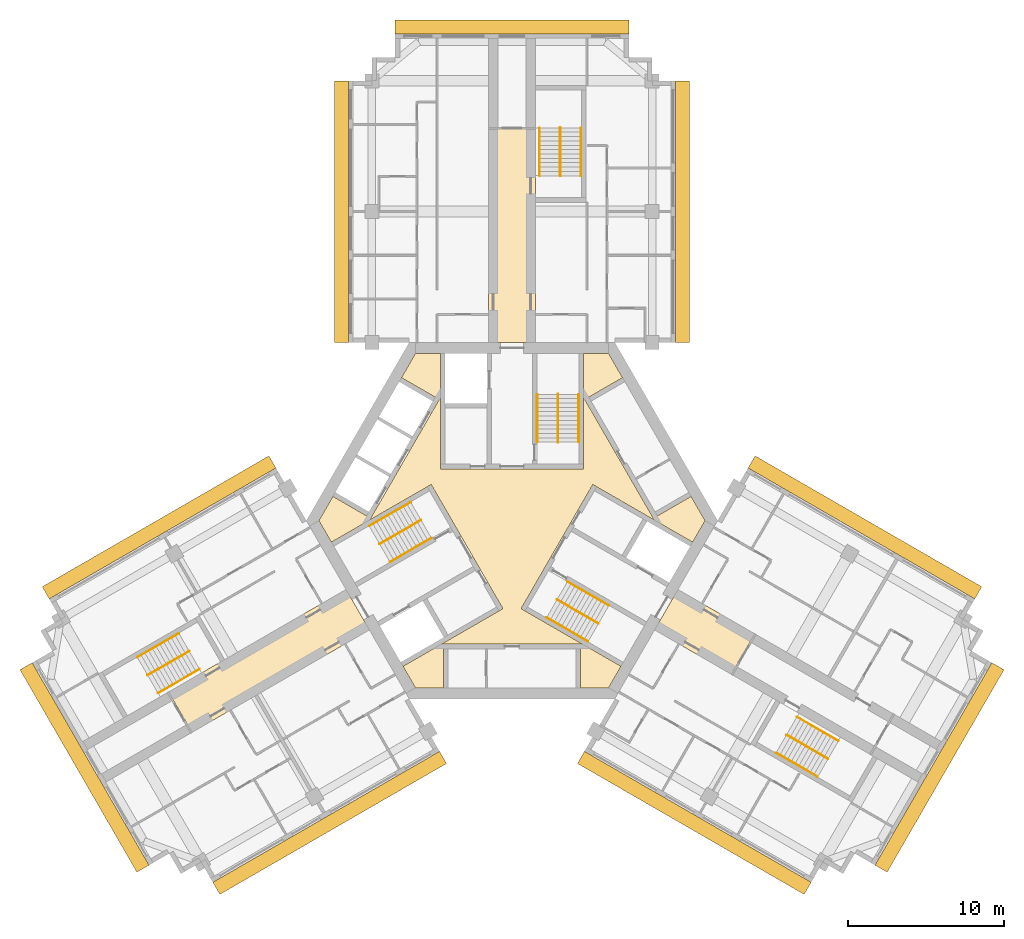
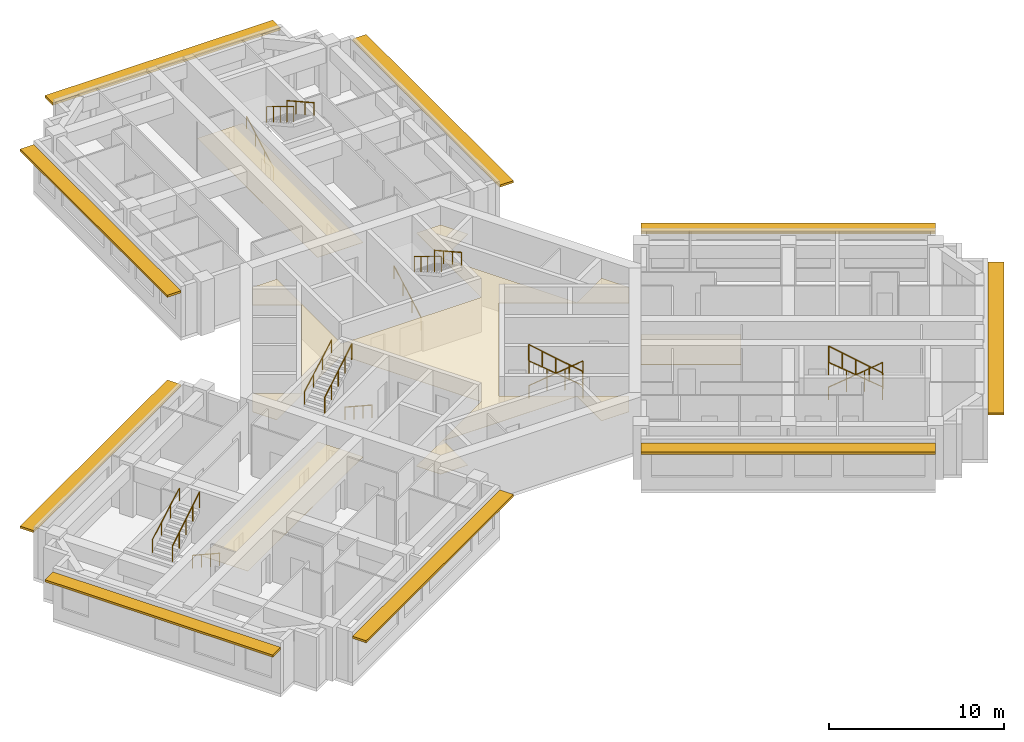
# One storey, part 10 of 10: 18 railings, 4 coverings, 3 shading devices.
"""IFC4 building model written with IfcOpenShell, lengths in metres."""

from ifc_helpers import new_model, si_unit, direction, frame, origin, origin_2d, place, context, subcontext, project, spatial, polyline, rectangle, circle, outline, extrude, material, layer, layer_set, type_object, element, save


model = new_model("IFC4")

# Units and contexts
model_context = context("Model", 3, precision=1e-05, world=origin(), true_north=direction((0.0, 1.0)))
body_context = subcontext(model_context, "Body", "Model", "MODEL_VIEW")
ifc_project = project(units=[si_unit("LENGTHUNIT", "METRE"), si_unit("AREAUNIT", "SQUARE_METRE"), si_unit("VOLUMEUNIT", "CUBIC_METRE"), si_unit("PLANEANGLEUNIT", "RADIAN"), si_unit("MASSUNIT", "GRAM", prefix="KILO")], contexts=[model_context])

# Site, building, storey
site_placement = place(None, origin())
site = spatial("IfcSite", under=ifc_project, at=site_placement, CompositionType="ELEMENT")
building_placement = place(site_placement, origin())
building = spatial("IfcBuilding", under=site, at=building_placement, Name="Impinga Residences", CompositionType="ELEMENT")
storey_placement = place(building_placement, frame((0.0, 0.0, 252.25)))
storey = spatial("IfcBuildingStorey", under=building, at=storey_placement, Name="L63", CompositionType="ELEMENT", Elevation=252.25)

# Coverings
ifc_material_1 = material(Name="Plasterboard 15 mm on steel hangers", Category="steel")
ifc_layer_1 = layer(ifc_material_1, 0.014892578125)
ifc_layer_set_1 = layer_set([ifc_layer_1], Name="Plasterboard 15 mm on steel hangers")
covering_type_1 = type_object("IfcCoveringType", Name="CL1 corridor ceiling, 15 mm plasterboard on hangers", PredefinedType="CEILING", material=ifc_layer_set_1)
covering_1_placement = place(storey_placement, frame((0.0, 0.0, 2.39990234375)))
element("IfcCovering", 1, at=covering_1_placement, inside=storey, type_object=covering_type_1, Name="Corridor ceiling CL1 L63-N00", PredefinedType="CEILING", context=body_context, shape_type="SweptSolid", body=[
    extrude(outline(polyline([(-1.5, 11.431640625), (1.5, 11.431640625), (1.5, 25.131591796875), (-1.5, 25.131591796875), (-1.5, 11.431640625)])), origin(), (0.0, 0.0, 1.0), 0.01513671875),
])
covering_2_placement = place(storey_placement, frame((0.0, 0.0, 2.39990234375)))
element("IfcCovering", 2, at=covering_2_placement, inside=storey, type_object=covering_type_1, Name="Corridor ceiling CL1 L63-W00", PredefinedType="CEILING", context=body_context, shape_type="SweptSolid", body=[
    extrude(outline(polyline([(-9.14990234375, -7.014892578125), (-10.64990234375, -4.416748046875), (-22.038330078125, -10.99169921875), (-20.538330078125, -13.58984375), (-9.14990234375, -7.014892578125)])), origin(), (0.0, 0.0, 1.0), 0.01513671875),
])
covering_3_placement = place(storey_placement, frame((0.0, 0.0, 2.39990234375)))
element("IfcCovering", 3, at=covering_3_placement, inside=storey, type_object=covering_type_1, Name="Corridor ceiling CL1 L63-E00", PredefinedType="CEILING", context=body_context, shape_type="SweptSolid", body=[
    extrude(outline(polyline([(9.14990234375, -7.014892578125), (10.64990234375, -4.416748046875), (15.579833984375, -7.262939453125), (14.079833984375, -9.861083984375), (9.14990234375, -7.014892578125)])), origin(), (0.0, 0.0, 1.0), 0.01513671875),
])
ifc_material_2 = material(Name="Mineral fibre tiles 20 mm on exposed grid", Category="mineral fibre")
ifc_layer_2 = layer(ifc_material_2, 0.02001953125)
ifc_layer_set_2 = layer_set([ifc_layer_2], Name="CL2 lift lobby ceiling, 20 mm mineral fibre tiles")
covering_type_2 = type_object("IfcCoveringType", Name="CL2 lift lobby ceiling, 20 mm mineral fibre tiles", PredefinedType="CEILING", material=ifc_layer_set_2)
covering_4_placement = place(storey_placement, frame((0.0, 0.0, 2.39990234375)))
element("IfcCovering", 4, at=covering_4_placement, inside=storey, type_object=covering_type_2, Name="Lift lobby ceiling CL2 L63-C01", PredefinedType="CEILING", context=body_context, shape_type="SweptSolid", body=[
    extrude(outline(polyline([(12.3916015625, 0.0), (11.59375, -1.382080078125), (5.183837890625, 2.318603515625), (0.583984375, -5.648681640625), (6.993896484375, -9.349365234375), (6.19580078125, -10.7314453125), (4.39990234375, -10.7314453125), (4.39990234375, -7.931640625), (-4.39990234375, -7.931640625), (-4.39990234375, -10.7314453125), (-6.19580078125, -10.7314453125), (-6.993896484375, -9.349365234375), (-0.583984375, -5.648681640625), (-5.183837890625, 2.318603515625), (-11.59375, -1.382080078125), (-12.3916015625, 0.0), (-11.493896484375, 1.55517578125), (-9.06884765625, 0.1552734375), (-4.6689453125, 7.7763671875), (-7.09375, 9.17626953125), (-6.19580078125, 10.7314453125), (-4.60009765625, 10.7314453125), (-4.60009765625, 3.330078125), (4.60009765625, 3.330078125), (4.60009765625, 10.7314453125), (6.19580078125, 10.7314453125), (7.09375, 9.17626953125), (4.6689453125, 7.7763671875), (9.06884765625, 0.1552734375), (11.493896484375, 1.55517578125), (12.3916015625, 0.0)])), origin(), (0.0, 0.0, 1.0), 0.02001953125),
])

# Railings
ifc_material_3 = material(Name="Steel guard, powder coated", Category="steel")
railing_type_1 = type_object("IfcRailingType", Name="GR1 stair guard 1100", PredefinedType="GUARDRAIL", material=ifc_material_3)
railing_1_placement = place(storey_placement, frame((2.949951171875, 8.110107421875, 1.875)))
element("IfcRailing", 5, at=railing_1_placement, inside=storey, type_object=railing_type_1, Name="Stair guard GR1 ST1 L63", PredefinedType="GUARDRAIL", context=body_context, shape_type="SweptSolid", body=[
    extrude(circle(Radius=0.02392578125, at=origin_2d()), frame((0.0, 0.0, 1.076171875), z_axis=(0.0, -0.854177636135, 0.519981313056), x_axis=(1.0, 0.0, 0.0)), (0.0, 0.0, 1.0), 3.60595703125),
    extrude(circle(Radius=0.02099609375, at=origin_2d()), origin(), (0.0, 0.0, 1.0), 1.052001953125),
    extrude(circle(Radius=0.02099609375, at=origin_2d()), frame((0.0, -0.77001953125, 0.46875)), (0.0, 0.0, 1.0), 1.052001953125),
    extrude(circle(Radius=0.02099609375, at=origin_2d()), frame((0.0, -1.5400390625, 0.9375)), (0.0, 0.0, 1.0), 1.052001953125),
    extrude(circle(Radius=0.02099609375, at=origin_2d()), frame((0.0, -2.31005859375, 1.40625)), (0.0, 0.0, 1.0), 1.052001953125),
    extrude(circle(Radius=0.02099609375, at=origin_2d()), frame((0.0, -3.080078125, 1.875)), (0.0, 0.0, 1.0), 1.052001953125),
])
railing_2_placement = place(storey_placement, frame((-8.49853515625, -1.500244140625, 1.875)))
element("IfcRailing", 6, at=railing_2_placement, inside=storey, type_object=railing_type_1, Name="Stair guard GR1 ST2 L63", PredefinedType="GUARDRAIL", context=body_context, shape_type="SweptSolid", body=[
    extrude(circle(Radius=0.02392578125, at=origin_2d()), frame((0.0, 0.0, 1.076171875), z_axis=(0.739746383972, 0.427084037168, 0.519975492303), x_axis=(-0.499992328818, 0.866029832698, 0.0)), (0.0, 0.0, 1.0), 3.60595703125),
    extrude(circle(Radius=0.02099609375, at=origin_2d()), origin(), (0.0, 0.0, 1.0), 1.052001953125),
    extrude(circle(Radius=0.02099609375, at=origin_2d()), frame((0.6669921875, 0.385009765625, 0.46875)), (0.0, 0.0, 1.0), 1.052001953125),
    extrude(circle(Radius=0.02099609375, at=origin_2d()), frame((1.333740234375, 0.77001953125, 0.9375)), (0.0, 0.0, 1.0), 1.052001953125),
    extrude(circle(Radius=0.02099609375, at=origin_2d()), frame((2.00048828125, 1.155029296875, 1.40625)), (0.0, 0.0, 1.0), 1.052001953125),
    extrude(circle(Radius=0.02099609375, at=origin_2d()), frame((2.66748046875, 1.5400390625, 1.875)), (0.0, 0.0, 1.0), 1.052001953125),
])
railing_3_placement = place(storey_placement, frame((5.548583984375, -6.60986328125, 1.875)))
element("IfcRailing", 7, at=railing_3_placement, inside=storey, type_object=railing_type_1, Name="Stair guard GR1 ST3 L63", PredefinedType="GUARDRAIL", context=body_context, shape_type="SweptSolid", body=[
    extrude(circle(Radius=0.02392578125, at=origin_2d()), frame((0.0, 0.0, 1.076171875), z_axis=(-0.739746383972, 0.427084037168, 0.519975492303), x_axis=(-0.499992328818, -0.866029832698, 0.0)), (0.0, 0.0, 1.0), 3.60595703125),
    extrude(circle(Radius=0.02099609375, at=origin_2d()), origin(), (0.0, 0.0, 1.0), 1.052001953125),
    extrude(circle(Radius=0.02099609375, at=origin_2d()), frame((-0.6669921875, 0.385009765625, 0.46875)), (0.0, 0.0, 1.0), 1.052001953125),
    extrude(circle(Radius=0.02099609375, at=origin_2d()), frame((-1.333740234375, 0.77001953125, 0.9375)), (0.0, 0.0, 1.0), 1.052001953125),
    extrude(circle(Radius=0.02099609375, at=origin_2d()), frame((-2.00048828125, 1.155029296875, 1.40625)), (0.0, 0.0, 1.0), 1.052001953125),
    extrude(circle(Radius=0.02099609375, at=origin_2d()), frame((-2.66748046875, 1.5400390625, 1.875)), (0.0, 0.0, 1.0), 1.052001953125),
])
railing_4_placement = place(storey_placement, frame((3.10009765625, 25.21142578125, 1.875)))
element("IfcRailing", 8, at=railing_4_placement, inside=storey, type_object=railing_type_1, Name="Stair guard GR1 WS1 L63", PredefinedType="GUARDRAIL", context=body_context, shape_type="SweptSolid", body=[
    extrude(circle(Radius=0.02392578125, at=origin_2d()), frame((0.0, 0.0, 1.076171875), z_axis=(0.0, -0.854159328187, 0.520011386482), x_axis=(1.0, 0.0, 0.0)), (0.0, 0.0, 1.0), 3.605712890625),
    extrude(circle(Radius=0.02099609375, at=origin_2d()), origin(), (0.0, 0.0, 1.0), 1.052001953125),
    extrude(circle(Radius=0.02099609375, at=origin_2d()), frame((0.0, -0.77001953125, 0.46875)), (0.0, 0.0, 1.0), 1.052001953125),
    extrude(circle(Radius=0.02099609375, at=origin_2d()), frame((0.0, -1.5400390625, 0.9375)), (0.0, 0.0, 1.0), 1.052001953125),
    extrude(circle(Radius=0.02099609375, at=origin_2d()), frame((0.0, -2.309814453125, 1.40625)), (0.0, 0.0, 1.0), 1.052001953125),
    extrude(circle(Radius=0.02099609375, at=origin_2d()), frame((0.0, -3.079833984375, 1.875)), (0.0, 0.0, 1.0), 1.052001953125),
])
railing_5_placement = place(storey_placement, frame((-23.3837890625, -9.921142578125, 1.875)))
element("IfcRailing", 9, at=railing_5_placement, inside=storey, type_object=railing_type_1, Name="Stair guard GR1 WS2 L63", PredefinedType="GUARDRAIL", context=body_context, shape_type="SweptSolid", body=[
    extrude(circle(Radius=0.02392578125, at=origin_2d()), frame((0.0, 0.0, 1.076171875), z_axis=(0.739715726454, 0.427105428144, 0.52000153585), x_axis=(-0.500026652407, 0.866010015463, 0.0)), (0.0, 0.0, 1.0), 3.605712890625),
    extrude(circle(Radius=0.02099609375, at=origin_2d()), origin(), (0.0, 0.0, 1.0), 1.052001953125),
    extrude(circle(Radius=0.02099609375, at=origin_2d()), frame((0.666748046875, 0.385009765625, 0.46875)), (0.0, 0.0, 1.0), 1.052001953125),
    extrude(circle(Radius=0.02099609375, at=origin_2d()), frame((1.33349609375, 0.77001953125, 0.9375)), (0.0, 0.0, 1.0), 1.052001953125),
    extrude(circle(Radius=0.02099609375, at=origin_2d()), frame((2.00048828125, 1.155029296875, 1.40625)), (0.0, 0.0, 1.0), 1.052001953125),
    extrude(circle(Radius=0.02099609375, at=origin_2d()), frame((2.667236328125, 1.5400390625, 1.875)), (0.0, 0.0, 1.0), 1.052001953125),
])
railing_6_placement = place(storey_placement, frame((20.283935546875, -15.29052734375, 1.875)))
element("IfcRailing", 10, at=railing_6_placement, inside=storey, type_object=railing_type_1, Name="Stair guard GR1 WS3 L63", PredefinedType="GUARDRAIL", context=body_context, shape_type="SweptSolid", body=[
    extrude(circle(Radius=0.02392578125, at=origin_2d()), frame((0.0, 0.0, 1.076171875), z_axis=(-0.739746383972, 0.427084037168, 0.519975492303), x_axis=(-0.499992328818, -0.866029832698, 0.0)), (0.0, 0.0, 1.0), 3.60595703125),
    extrude(circle(Radius=0.02099609375, at=origin_2d()), origin(), (0.0, 0.0, 1.0), 1.052001953125),
    extrude(circle(Radius=0.02099609375, at=origin_2d()), frame((-0.6669921875, 0.385009765625, 0.46875)), (0.0, 0.0, 1.0), 1.052001953125),
    extrude(circle(Radius=0.02099609375, at=origin_2d()), frame((-1.333740234375, 0.77001953125, 0.9375)), (0.0, 0.0, 1.0), 1.052001953125),
    extrude(circle(Radius=0.02099609375, at=origin_2d()), frame((-2.00048828125, 1.155029296875, 1.40625)), (0.0, 0.0, 1.0), 1.052001953125),
    extrude(circle(Radius=0.02099609375, at=origin_2d()), frame((-2.66748046875, 1.5400390625, 1.875)), (0.0, 0.0, 1.0), 1.052001953125),
])
ifc_material_4 = material(Name="Steel handrail tube 42 mm, powder coated", Category="steel")
railing_type_2 = type_object("IfcRailingType", Name="HR1 stair handrail, 42 mm steel tube, 900 above the pitch line", PredefinedType="HANDRAIL", material=ifc_material_4)
railing_7_placement = place(storey_placement, frame((1.62109375, 5.030029296875, 0.15625)))
element("IfcRailing", 11, at=railing_7_placement, inside=storey, type_object=railing_type_2, Name="Stair handrail HR1 ST1 L63", PredefinedType="HANDRAIL", context=body_context, shape_type="SweptSolid", body=[
    extrude(circle(Radius=0.02099609375, at=origin_2d()), frame((0.0, 0.0, 0.87890625), z_axis=(0.0, 0.873241540666, 0.487287606713), x_axis=(-1.0, 0.0, 0.0)), (0.0, 0.0, 1.0), 3.527099609375),
    extrude(circle(Radius=0.012451171875, at=origin_2d()), origin(), (0.0, 0.0, 1.0), 0.85791015625),
    extrude(circle(Radius=0.012451171875, at=origin_2d()), frame((0.0, 1.026611328125, 0.572998046875)), (0.0, 0.0, 1.0), 0.85791015625),
    extrude(circle(Radius=0.012451171875, at=origin_2d()), frame((0.0, 2.053466796875, 1.145751953125)), (0.0, 0.0, 1.0), 0.85791015625),
    extrude(circle(Radius=0.012451171875, at=origin_2d()), frame((0.0, 3.080078125, 1.71875)), (0.0, 0.0, 1.0), 0.85791015625),
])
railing_8_placement = place(storey_placement, frame((4.279052734375, 8.110107421875, 2.03125)))
element("IfcRailing", 12, at=railing_8_placement, inside=storey, type_object=railing_type_2, Name="Stair handrail HR1 ST1 L63", PredefinedType="HANDRAIL", context=body_context, shape_type="SweptSolid", body=[
    extrude(circle(Radius=0.02099609375, at=origin_2d()), frame((0.0, 0.0, 0.87890625), z_axis=(0.0, -0.873241540666, 0.487287606713), x_axis=(1.0, 0.0, 0.0)), (0.0, 0.0, 1.0), 3.527099609375),
    extrude(circle(Radius=0.012451171875, at=origin_2d()), origin(), (0.0, 0.0, 1.0), 0.85791015625),
    extrude(circle(Radius=0.012451171875, at=origin_2d()), frame((0.0, -1.026611328125, 0.572998046875)), (0.0, 0.0, 1.0), 0.85791015625),
    extrude(circle(Radius=0.012451171875, at=origin_2d()), frame((0.0, -2.053466796875, 1.145751953125)), (0.0, 0.0, 1.0), 0.85791015625),
    extrude(circle(Radius=0.012451171875, at=origin_2d()), frame((0.0, -3.080078125, 1.71875)), (0.0, 0.0, 1.0), 0.85791015625),
])
railing_9_placement = place(storey_placement, frame((-5.16650390625, -1.111083984375, 0.15625)))
element("IfcRailing", 13, at=railing_9_placement, inside=storey, type_object=railing_type_2, Name="Stair handrail HR1 ST2 L63", PredefinedType="HANDRAIL", context=body_context, shape_type="SweptSolid", body=[
    extrude(circle(Radius=0.02099609375, at=origin_2d()), frame((0.0, 0.0, 0.87890625), z_axis=(-0.756255980417, -0.436615662133, 0.487281905742), x_axis=(0.499992328818, -0.866029832698, 0.0)), (0.0, 0.0, 1.0), 3.527099609375),
    extrude(circle(Radius=0.012451171875, at=origin_2d()), origin(), (0.0, 0.0, 1.0), 0.85791015625),
    extrude(circle(Radius=0.012451171875, at=origin_2d()), frame((-0.88916015625, -0.513427734375, 0.572998046875)), (0.0, 0.0, 1.0), 0.85791015625),
    extrude(circle(Radius=0.012451171875, at=origin_2d()), frame((-1.7783203125, -1.026611328125, 1.145751953125)), (0.0, 0.0, 1.0), 0.85791015625),
    extrude(circle(Radius=0.012451171875, at=origin_2d()), frame((-2.66748046875, -1.5400390625, 1.71875)), (0.0, 0.0, 1.0), 0.85791015625),
])
railing_10_placement = place(storey_placement, frame((-9.1630859375, -0.349365234375, 2.03125)))
element("IfcRailing", 14, at=railing_10_placement, inside=storey, type_object=railing_type_2, Name="Stair handrail HR1 ST2 L63", PredefinedType="HANDRAIL", context=body_context, shape_type="SweptSolid", body=[
    extrude(circle(Radius=0.02099609375, at=origin_2d()), frame((0.0, 0.0, 0.87890625), z_axis=(0.756255980417, 0.436615662133, 0.487281905742), x_axis=(-0.499992328818, 0.866029832698, 0.0)), (0.0, 0.0, 1.0), 3.527099609375),
    extrude(circle(Radius=0.012451171875, at=origin_2d()), origin(), (0.0, 0.0, 1.0), 0.85791015625),
    extrude(circle(Radius=0.012451171875, at=origin_2d()), frame((0.88916015625, 0.513427734375, 0.572998046875)), (0.0, 0.0, 1.0), 0.85791015625),
    extrude(circle(Radius=0.012451171875, at=origin_2d()), frame((1.7783203125, 1.026611328125, 1.145751953125)), (0.0, 0.0, 1.0), 0.85791015625),
    extrude(circle(Radius=0.012451171875, at=origin_2d()), frame((2.66748046875, 1.5400390625, 1.71875)), (0.0, 0.0, 1.0), 0.85791015625),
])
railing_11_placement = place(storey_placement, frame((3.545654296875, -3.9189453125, 0.15625)))
element("IfcRailing", 15, at=railing_11_placement, inside=storey, type_object=railing_type_2, Name="Stair handrail HR1 ST3 L63", PredefinedType="HANDRAIL", context=body_context, shape_type="SweptSolid", body=[
    extrude(circle(Radius=0.02099609375, at=origin_2d()), frame((0.0, 0.0, 0.87890625), z_axis=(0.756249203677, -0.436582492228, 0.487322141317), x_axis=(0.499967199496, 0.866044340336, 0.0)), (0.0, 0.0, 1.0), 3.52685546875),
    extrude(circle(Radius=0.012451171875, at=origin_2d()), origin(), (0.0, 0.0, 1.0), 0.85791015625),
    extrude(circle(Radius=0.012451171875, at=origin_2d()), frame((0.88916015625, -0.51318359375, 0.572998046875)), (0.0, 0.0, 1.0), 0.85791015625),
    extrude(circle(Radius=0.012451171875, at=origin_2d()), frame((1.778076171875, -1.026611328125, 1.145751953125)), (0.0, 0.0, 1.0), 0.85791015625),
    extrude(circle(Radius=0.012451171875, at=origin_2d()), frame((2.667236328125, -1.539794921875, 1.71875)), (0.0, 0.0, 1.0), 0.85791015625),
])
railing_12_placement = place(storey_placement, frame((4.884033203125, -7.7607421875, 2.03125)))
element("IfcRailing", 16, at=railing_12_placement, inside=storey, type_object=railing_type_2, Name="Stair handrail HR1 ST3 L63", PredefinedType="HANDRAIL", context=body_context, shape_type="SweptSolid", body=[
    extrude(circle(Radius=0.02099609375, at=origin_2d()), frame((0.0, 0.0, 0.87890625), z_axis=(-0.756255980417, 0.436615662133, 0.487281905742), x_axis=(-0.499992328818, -0.866029832698, 0.0)), (0.0, 0.0, 1.0), 3.527099609375),
    extrude(circle(Radius=0.012451171875, at=origin_2d()), origin(), (0.0, 0.0, 1.0), 0.85791015625),
    extrude(circle(Radius=0.012451171875, at=origin_2d()), frame((-0.88916015625, 0.513427734375, 0.572998046875)), (0.0, 0.0, 1.0), 0.85791015625),
    extrude(circle(Radius=0.012451171875, at=origin_2d()), frame((-1.7783203125, 1.026611328125, 1.145751953125)), (0.0, 0.0, 1.0), 0.85791015625),
    extrude(circle(Radius=0.012451171875, at=origin_2d()), frame((-2.66748046875, 1.5400390625, 1.71875)), (0.0, 0.0, 1.0), 0.85791015625),
])
railing_13_placement = place(storey_placement, frame((1.77099609375, 22.131591796875, 0.15625)))
element("IfcRailing", 17, at=railing_13_placement, inside=storey, type_object=railing_type_2, Name="Stair handrail HR1 WS1 L63", PredefinedType="HANDRAIL", context=body_context, shape_type="SweptSolid", body=[
    extrude(circle(Radius=0.02099609375, at=origin_2d()), frame((0.0, 0.0, 0.87890625), z_axis=(0.0, 0.873225103656, 0.487317061414), x_axis=(-1.0, 0.0, 0.0)), (0.0, 0.0, 1.0), 3.52685546875),
    extrude(circle(Radius=0.012451171875, at=origin_2d()), origin(), (0.0, 0.0, 1.0), 0.85791015625),
    extrude(circle(Radius=0.012451171875, at=origin_2d()), frame((0.0, 1.026611328125, 0.572998046875)), (0.0, 0.0, 1.0), 0.85791015625),
    extrude(circle(Radius=0.012451171875, at=origin_2d()), frame((0.0, 2.05322265625, 1.145751953125)), (0.0, 0.0, 1.0), 0.85791015625),
    extrude(circle(Radius=0.012451171875, at=origin_2d()), frame((0.0, 3.079833984375, 1.71875)), (0.0, 0.0, 1.0), 0.85791015625),
])
railing_14_placement = place(storey_placement, frame((4.428955078125, 25.21142578125, 2.03125)))
element("IfcRailing", 18, at=railing_14_placement, inside=storey, type_object=railing_type_2, Name="Stair handrail HR1 WS1 L63", PredefinedType="HANDRAIL", context=body_context, shape_type="SweptSolid", body=[
    extrude(circle(Radius=0.02099609375, at=origin_2d()), frame((0.0, 0.0, 0.87890625), z_axis=(0.0, -0.873225103656, 0.487317061414), x_axis=(1.0, 0.0, 0.0)), (0.0, 0.0, 1.0), 3.52685546875),
    extrude(circle(Radius=0.012451171875, at=origin_2d()), origin(), (0.0, 0.0, 1.0), 0.85791015625),
    extrude(circle(Radius=0.012451171875, at=origin_2d()), frame((0.0, -1.026611328125, 0.572998046875)), (0.0, 0.0, 1.0), 0.85791015625),
    extrude(circle(Radius=0.012451171875, at=origin_2d()), frame((0.0, -2.05322265625, 1.145751953125)), (0.0, 0.0, 1.0), 0.85791015625),
    extrude(circle(Radius=0.012451171875, at=origin_2d()), frame((0.0, -3.079833984375, 1.71875)), (0.0, 0.0, 1.0), 0.85791015625),
])
railing_15_placement = place(storey_placement, frame((-20.052001953125, -9.531982421875, 0.15625)))
element("IfcRailing", 19, at=railing_15_placement, inside=storey, type_object=railing_type_2, Name="Stair handrail HR1 WS2 L63", PredefinedType="HANDRAIL", context=body_context, shape_type="SweptSolid", body=[
    extrude(circle(Radius=0.02099609375, at=origin_2d()), frame((0.0, 0.0, 0.87890625), z_axis=(-0.756226348243, -0.436638517594, 0.487307413422), x_axis=(0.500026652407, -0.866010015463, 0.0)), (0.0, 0.0, 1.0), 3.527099609375),
    extrude(circle(Radius=0.012451171875, at=origin_2d()), origin(), (0.0, 0.0, 1.0), 0.85791015625),
    extrude(circle(Radius=0.012451171875, at=origin_2d()), frame((-0.88916015625, -0.513427734375, 0.572998046875)), (0.0, 0.0, 1.0), 0.85791015625),
    extrude(circle(Radius=0.012451171875, at=origin_2d()), frame((-1.778076171875, -1.026611328125, 1.145751953125)), (0.0, 0.0, 1.0), 0.85791015625),
    extrude(circle(Radius=0.012451171875, at=origin_2d()), frame((-2.667236328125, -1.5400390625, 1.71875)), (0.0, 0.0, 1.0), 0.85791015625),
])
railing_16_placement = place(storey_placement, frame((-24.04833984375, -8.77001953125, 2.03125)))
element("IfcRailing", 20, at=railing_16_placement, inside=storey, type_object=railing_type_2, Name="Stair handrail HR1 WS2 L63", PredefinedType="HANDRAIL", context=body_context, shape_type="SweptSolid", body=[
    extrude(circle(Radius=0.02099609375, at=origin_2d()), frame((0.0, 0.0, 0.87890625), z_axis=(0.756278834354, 0.436559638319, 0.487296631324), x_axis=(-0.499932877268, 0.866064153644, 0.0)), (0.0, 0.0, 1.0), 3.527099609375),
    extrude(circle(Radius=0.012451171875, at=origin_2d()), origin(), (0.0, 0.0, 1.0), 0.85791015625),
    extrude(circle(Radius=0.012451171875, at=origin_2d()), frame((0.88916015625, 0.51318359375, 0.572998046875)), (0.0, 0.0, 1.0), 0.85791015625),
    extrude(circle(Radius=0.012451171875, at=origin_2d()), frame((1.7783203125, 1.026611328125, 1.145751953125)), (0.0, 0.0, 1.0), 0.85791015625),
    extrude(circle(Radius=0.012451171875, at=origin_2d()), frame((2.66748046875, 1.539794921875, 1.71875)), (0.0, 0.0, 1.0), 0.85791015625),
])
railing_17_placement = place(storey_placement, frame((18.281005859375, -12.599609375, 0.15625)))
element("IfcRailing", 21, at=railing_17_placement, inside=storey, type_object=railing_type_2, Name="Stair handrail HR1 WS3 L63", PredefinedType="HANDRAIL", context=body_context, shape_type="SweptSolid", body=[
    extrude(circle(Radius=0.02099609375, at=origin_2d()), frame((0.0, 0.0, 0.87890625), z_axis=(0.756249203677, -0.436582492228, 0.487322141317), x_axis=(0.499967199496, 0.866044340336, 0.0)), (0.0, 0.0, 1.0), 3.52685546875),
    extrude(circle(Radius=0.012451171875, at=origin_2d()), origin(), (0.0, 0.0, 1.0), 0.85791015625),
    extrude(circle(Radius=0.012451171875, at=origin_2d()), frame((0.88916015625, -0.51318359375, 0.572998046875)), (0.0, 0.0, 1.0), 0.85791015625),
    extrude(circle(Radius=0.012451171875, at=origin_2d()), frame((1.778076171875, -1.026611328125, 1.145751953125)), (0.0, 0.0, 1.0), 0.85791015625),
    extrude(circle(Radius=0.012451171875, at=origin_2d()), frame((2.667236328125, -1.539794921875, 1.71875)), (0.0, 0.0, 1.0), 0.85791015625),
])
railing_18_placement = place(storey_placement, frame((19.619384765625, -16.44140625, 2.03125)))
element("IfcRailing", 22, at=railing_18_placement, inside=storey, type_object=railing_type_2, Name="Stair handrail HR1 WS3 L63", PredefinedType="HANDRAIL", context=body_context, shape_type="SweptSolid", body=[
    extrude(circle(Radius=0.02099609375, at=origin_2d()), frame((0.0, 0.0, 0.87890625), z_axis=(-0.756255980417, 0.436615662133, 0.487281905742), x_axis=(-0.499992328818, -0.866029832698, 0.0)), (0.0, 0.0, 1.0), 3.527099609375),
    extrude(circle(Radius=0.012451171875, at=origin_2d()), origin(), (0.0, 0.0, 1.0), 0.85791015625),
    extrude(circle(Radius=0.012451171875, at=origin_2d()), frame((-0.88916015625, 0.513427734375, 0.572998046875)), (0.0, 0.0, 1.0), 0.85791015625),
    extrude(circle(Radius=0.012451171875, at=origin_2d()), frame((-1.7783203125, 1.026611328125, 1.145751953125)), (0.0, 0.0, 1.0), 0.85791015625),
    extrude(circle(Radius=0.012451171875, at=origin_2d()), frame((-2.66748046875, 1.5400390625, 1.71875)), (0.0, 0.0, 1.0), 0.85791015625),
])

# Shading devices
ifc_material_5 = material(Name="Terracotta sunshade blades on aluminium brackets", Category="masonry")
ifc_layer_3 = layer(ifc_material_5, 0.14990234375)
ifc_layer_set_3 = layer_set([ifc_layer_3], Name="SS1 SUNSHADE terracotta sunshade band 900")
shading_device_type = type_object("IfcShadingDeviceType", Name="SS1 SUNSHADE terracotta sunshade band 900", PredefinedType="USERDEFINED", material=ifc_layer_set_3)
shading_device_1_placement = place(storey_placement, frame((-10.949951171875, 19.83154296875, 3.10009765625), z_axis=(0.0, 0.0, 1.0), x_axis=(0.0, 1.0, 0.0)))
element("IfcShadingDevice", 23, at=shading_device_1_placement, inside=storey, type_object=shading_device_type, Name="SUNSHADE band L63 NORTH WING", ObjectType="SUNSHADE", PredefinedType="USERDEFINED", context=body_context, shape_type="SweptSolid", body=[
    extrude(rectangle(XDim=16.800048828125, YDim=0.89990234375, at=origin_2d()), origin(), (0.0, 0.0, 1.0), 0.14990234375),
    extrude(rectangle(XDim=15.0, YDim=0.89990234375, at=origin_2d()), frame((11.85009765625, -10.949951171875, 0.0), z_axis=(0.0, 0.0, 1.0), x_axis=(0.0, -1.0, 0.0)), (0.0, 0.0, 1.0), 0.14990234375),
    extrude(rectangle(XDim=16.800048828125, YDim=0.89990234375, at=origin_2d()), frame((0.0, -21.89990234375, 0.0), z_axis=(0.0, 0.0, 1.0), x_axis=(-1.0, 0.0, 0.0)), (0.0, 0.0, 1.0), 0.14990234375),
])
shading_device_2_placement = place(storey_placement, frame((-27.43701171875, -15.8408203125, 3.10009765625), z_axis=(0.0, 0.0, 1.0), x_axis=(-0.5, 0.866025403784, 0.0)))
element("IfcShadingDevice", 24, at=shading_device_2_placement, inside=storey, type_object=shading_device_type, Name="SUNSHADE band L63 WEST WING", ObjectType="SUNSHADE", PredefinedType="USERDEFINED", context=body_context, shape_type="SweptSolid", body=[
    extrude(rectangle(XDim=15.0, YDim=0.89990234375, at=origin_2d()), origin(), (0.0, 0.0, 1.0), 0.14990234375),
    extrude(rectangle(XDim=16.800048828125, YDim=0.89990234375, at=origin_2d()), frame((10.949951171875, -11.849853515625, 0.0), z_axis=(0.0, 0.0, 1.0), x_axis=(0.0, -1.0, 0.0)), (0.0, 0.0, 1.0), 0.14990234375),
    extrude(rectangle(XDim=16.800048828125, YDim=0.89990234375, at=origin_2d()), frame((-10.949951171875, -11.849853515625, 0.0), z_axis=(0.0, 0.0, 1.0), x_axis=(0.0, 1.0, 0.0)), (0.0, 0.0, 1.0), 0.14990234375),
])
shading_device_3_placement = place(storey_placement, frame((22.649658203125, -0.432861328125, 3.10009765625), z_axis=(0.0, 0.0, 1.0), x_axis=(0.866025403784, -0.5, 0.0)))
element("IfcShadingDevice", 25, at=shading_device_3_placement, inside=storey, type_object=shading_device_type, Name="SUNSHADE band L63 EAST WING", ObjectType="SUNSHADE", PredefinedType="USERDEFINED", context=body_context, shape_type="SweptSolid", body=[
    extrude(rectangle(XDim=16.800048828125, YDim=0.89990234375, at=origin_2d()), origin(), (0.0, 0.0, 1.0), 0.14990234375),
    extrude(rectangle(XDim=15.0, YDim=0.89990234375, at=origin_2d()), frame((11.849853515625, -10.949951171875, 0.0), z_axis=(0.0, 0.0, 1.0), x_axis=(0.0, -1.0, 0.0)), (0.0, 0.0, 1.0), 0.14990234375),
    extrude(rectangle(XDim=16.800048828125, YDim=0.89990234375, at=origin_2d()), frame((0.0, -21.89990234375, 0.0), z_axis=(0.0, 0.0, 1.0), x_axis=(-1.0, 0.0, 0.0)), (0.0, 0.0, 1.0), 0.14990234375),
])

save(model, "model.ifc")
